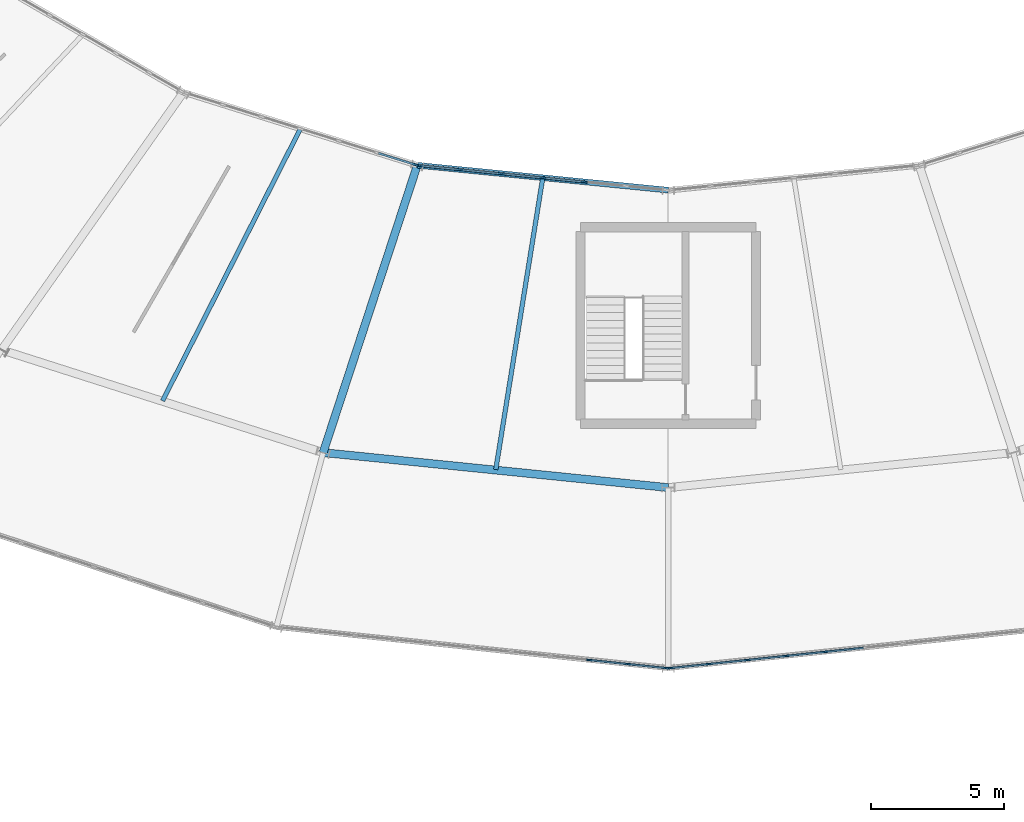
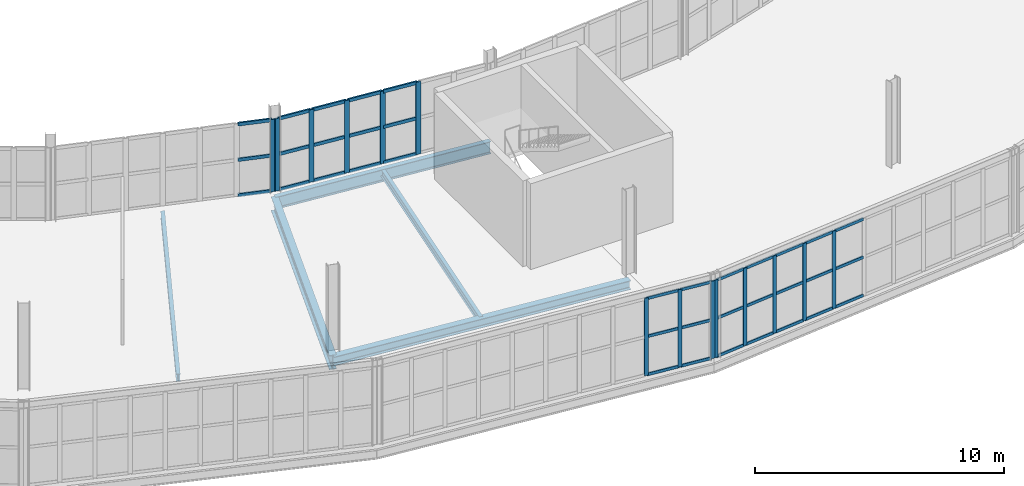
# One storey, part 44 of 161: 50 members, 5 beams, 4 elements without a shape of their own.
"""IFC4 building model written with IfcOpenShell, lengths in metres."""

from ifc_helpers import new_model, si_unit, direction, frame, origin, origin_2d, place, context, subcontext, project, spatial, rectangle, i_section, extrude, material, material_profile, profile_set, type_object, element, aggregate, save


model = new_model("IFC4")

# Units and contexts
model_context = context("Model", 3, precision=1e-05, world=origin(), true_north=direction((0.0, 1.0)))
body_context = subcontext(model_context, "Body", "Model", "MODEL_VIEW")
ifc_project = project(units=[si_unit("LENGTHUNIT", "METRE"), si_unit("AREAUNIT", "SQUARE_METRE"), si_unit("VOLUMEUNIT", "CUBIC_METRE"), si_unit("PLANEANGLEUNIT", "RADIAN"), si_unit("MASSUNIT", "GRAM", prefix="KILO")], contexts=[model_context])

# Site, building, storey
site_placement = place(None, origin())
site = spatial("IfcSite", under=ifc_project, at=site_placement, CompositionType="ELEMENT")
building_placement = place(site_placement, origin())
building = spatial("IfcBuilding", under=site, at=building_placement, Name="Kildeholm Park Wholesale Market", CompositionType="ELEMENT")
storey_placement = place(building_placement, frame((0.0, 0.0, 5.39990234375)))
storey = spatial("IfcBuildingStorey", under=building, at=storey_placement, Name="L01", CompositionType="ELEMENT", Elevation=5.39990234375)

# Beams
ifc_material_1 = material(Name="Steel S355", Category="steel")
ifc_material_profile_1 = material_profile(ifc_material_1, i_section(OverallWidth=0.300048828125, OverallDepth=0.699951171875, WebThickness=0.01708984375, FlangeThickness=0.031982421875, FilletRadius=0.027099609375, at=origin_2d()), Name="HEB 700")
ifc_profile_set_1 = profile_set([ifc_material_profile_1], Name="Steel S355")
beam_type_1 = type_object("IfcBeamType", Name="Beam B-G01 HEB 700", PredefinedType="BEAM", material=ifc_profile_set_1)
beam_1_placement = place(storey_placement, frame((89.552978515625, 62.93701171875, -0.599853515625), z_axis=(-0.31146940438, -0.950256181319, 0.0), x_axis=(0.950256181319, -0.31146940438, 0.0)))
element("IfcBeam", 1, at=beam_1_placement, inside=storey, type_object=beam_type_1, Name="Beam BM-V1-L01-R1-17 BM-0155", PredefinedType="BEAM", context=body_context, shape_type="SweptSolid", body=[
    extrude(i_section(OverallWidth=0.300048828125, OverallDepth=0.699951171875, WebThickness=0.01708984375, FlangeThickness=0.031982421875, FilletRadius=0.027099609375, at=origin_2d()), origin(), (0.0, 0.0, 1.0), 11.384521484375),
])
ifc_material_profile_2 = material_profile(ifc_material_1, i_section(OverallWidth=0.219970703125, OverallDepth=0.60009765625, WebThickness=0.011962890625, FlangeThickness=0.01904296875, FilletRadius=0.02392578125, at=origin_2d()), Name="IPE 600")
ifc_profile_set_2 = profile_set([ifc_material_profile_2], Name="Steel S355")
beam_type_2 = type_object("IfcBeamType", Name="Beam B-P04 IPE 600", PredefinedType="BEAM", material=ifc_profile_set_2)
beam_2_placement = place(storey_placement, frame((89.552978515625, 62.93701171875, -0.5498046875), z_axis=(0.995117073258, -0.098701623651, 0.0), x_axis=(0.098701623651, 0.995117073258, 0.0)))
element("IfcBeam", 2, at=beam_2_placement, inside=storey, type_object=beam_type_2, Name="Beam BM-V1-L01-CI-17 BM-0158", PredefinedType="BEAM", context=body_context, shape_type="SweptSolid", body=[
    extrude(i_section(OverallWidth=0.219970703125, OverallDepth=0.60009765625, WebThickness=0.011962890625, FlangeThickness=0.01904296875, FilletRadius=0.02392578125, at=origin_2d()), origin(), (0.0, 0.0, 1.0), 9.493408203125),
])
ifc_material_profile_3 = material_profile(ifc_material_1, i_section(OverallWidth=0.300048828125, OverallDepth=0.43994140625, WebThickness=0.011474609375, FlangeThickness=0.02099609375, FilletRadius=0.027099609375, at=origin_2d()), Name="HEA 450")
ifc_profile_set_3 = profile_set([ifc_material_profile_3], Name="Steel S355")
beam_type_3 = type_object("IfcBeamType", Name="Beam B-R02 HEA 450", PredefinedType="BEAM", material=ifc_profile_set_3)
beam_3_placement = place(storey_placement, frame((86.007080078125, 52.118896484375, -0.469970703125), z_axis=(0.994887827563, -0.100986189979, 0.0), x_axis=(0.100986189979, 0.994887827563, 0.0)))
element("IfcBeam", 3, at=beam_3_placement, inside=storey, type_object=beam_type_3, Name="Beam BM-V1-L01-CM-17 BM-0159", PredefinedType="BEAM", context=body_context, shape_type="SweptSolid", body=[
    extrude(i_section(OverallWidth=0.300048828125, OverallDepth=0.43994140625, WebThickness=0.011474609375, FlangeThickness=0.02099609375, FilletRadius=0.027099609375, at=origin_2d()), origin(), (0.0, 0.0, 1.0), 13.0595703125),
])
ifc_material_profile_4 = material_profile(ifc_material_1, i_section(OverallWidth=0.169921875, OverallDepth=0.360107421875, WebThickness=0.008056640625, FlangeThickness=0.0126953125, FilletRadius=0.01806640625, at=origin_2d()), Name="IPE 360")
ifc_profile_set_4 = profile_set([ifc_material_profile_4], Name="Steel S355")
beam_type_4 = type_object("IfcBeamType", Name="Beam J-04 IPE 360", PredefinedType="JOIST", material=ifc_profile_set_4)
beam_4_placement = place(storey_placement, frame((85.142578125, 64.292724609375, -0.429931640625), z_axis=(-0.452004571782, -0.892015620428, 0.0), x_axis=(0.892015620428, -0.452004571782, 0.0)))
element("IfcBeam", 4, at=beam_4_placement, inside=storey, type_object=beam_type_4, Name="Beam JT-V1-L01-16 BM-0153", PredefinedType="JOIST", context=body_context, shape_type="SweptSolid", body=[
    extrude(i_section(OverallWidth=0.169921875, OverallDepth=0.360107421875, WebThickness=0.008056640625, FlangeThickness=0.0126953125, FilletRadius=0.01806640625, at=origin_2d()), origin(), (0.0, 0.0, 1.0), 11.46044921875),
])
beam_5_placement = place(storey_placement, frame((94.273193359375, 62.44873046875, -0.429931640625), z_axis=(-0.158998239013, -0.987278866375, 0.0), x_axis=(0.987278866375, -0.158998239013, 0.0)))
element("IfcBeam", 5, at=beam_5_placement, inside=storey, type_object=beam_type_4, Name="Beam JT-V1-L01-17 BM-0163", PredefinedType="JOIST", context=body_context, shape_type="SweptSolid", body=[
    extrude(i_section(OverallWidth=0.169921875, OverallDepth=0.360107421875, WebThickness=0.008056640625, FlangeThickness=0.0126953125, FilletRadius=0.01806640625, at=origin_2d()), origin(), (0.0, 0.0, 1.0), 11.11083984375),
])

# Curtain wall, members
ifc_material_2 = material(Name="Anodised aluminium and low-E double-glazed glass", Category="aluminium")
curtain_wall_type = type_object("IfcCurtainWallType", Name="Market hall glazed arcade stick curtain wall CW-01", PredefinedType="NOTDEFINED", material=ifc_material_2)
curtain_wall_1_placement = place(storey_placement, origin())
curtain_wall_1 = element("IfcCurtainWall", 6, at=curtain_wall_1_placement, inside=storey, type_object=curtain_wall_type, Name="Curtain wall CW-V1-OT-17-1 CW-0084", PredefinedType="NOTDEFINED")
ifc_material_3 = material(Name="Anodised aluminium", Category="aluminium")
ifc_material_profile_5 = material_profile(ifc_material_3, rectangle(XDim=0.06494140625, YDim=0.179931640625, at=origin_2d()), Name="CWM 65x180")
ifc_profile_set_5 = profile_set([ifc_material_profile_5], Name="Anodised aluminium")
member_type_1 = type_object("IfcMemberType", Name="Curtain-wall mullion CWM-1 CWM 65x180", PredefinedType="MULLION", material=ifc_profile_set_5)
member_1_placement = place(storey_placement, frame((96.025146484375, 44.308349609375, 0.0), z_axis=(0.0, 0.0, 1.0), x_axis=(0.104508383308, 0.994524005652, 0.0)))
member_1 = element("IfcMember", 7, at=member_1_placement, type_object=member_type_1, Name="CW-01 mullion 9 MEM-2677", PredefinedType="MULLION", context=body_context, shape_type="SweptSolid", body=[
    extrude(rectangle(XDim=0.06494140625, YDim=0.179931640625, at=origin_2d()), origin(), (0.0, 0.0, 1.0), 3.800048828125),
])
member_2_placement = place(storey_placement, frame((97.49267578125, 44.154296875, 0.0), z_axis=(0.0, 0.0, 1.0), x_axis=(0.104508383308, 0.994524005652, 0.0)))
member_2 = element("IfcMember", 8, at=member_2_placement, type_object=member_type_1, Name="CW-01 mullion 10 MEM-2678", PredefinedType="MULLION", context=body_context, shape_type="SweptSolid", body=[
    extrude(rectangle(XDim=0.06494140625, YDim=0.179931640625, at=origin_2d()), origin(), (0.0, 0.0, 1.0), 3.800048828125),
])
member_3_placement = place(storey_placement, frame((98.927734375, 44.00341796875, 0.0), z_axis=(0.0, 0.0, 1.0), x_axis=(0.104508383308, 0.994524005652, 0.0)))
member_3 = element("IfcMember", 9, at=member_3_placement, type_object=member_type_1, Name="CW-01 mullion 11 MEM-2679", PredefinedType="MULLION", context=body_context, shape_type="SweptSolid", body=[
    extrude(rectangle(XDim=0.06494140625, YDim=0.179931640625, at=origin_2d()), origin(), (0.0, 0.0, 1.0), 3.800048828125),
])

curtain_wall_2_placement = place(storey_placement, origin())
curtain_wall_2 = element("IfcCurtainWall", 10, at=curtain_wall_2_placement, inside=storey, type_object=curtain_wall_type, Name="Curtain wall CW-V1-OT-18-1 CW-0089", PredefinedType="NOTDEFINED")
member_4_placement = place(storey_placement, frame((99.072265625, 44.00341796875, 0.0), z_axis=(0.0, 0.0, 1.0), x_axis=(-0.104508383308, 0.994524005652, 0.0)))
member_4 = element("IfcMember", 11, at=member_4_placement, type_object=member_type_1, Name="CW-01 mullion 1 MEM-2822", PredefinedType="MULLION", context=body_context, shape_type="SweptSolid", body=[
    extrude(rectangle(XDim=0.06494140625, YDim=0.179931640625, at=origin_2d()), origin(), (0.0, 0.0, 1.0), 3.800048828125),
])
member_5_placement = place(storey_placement, frame((100.50732421875, 44.154296875, 0.0), z_axis=(0.0, 0.0, 1.0), x_axis=(-0.104508383308, 0.994524005652, 0.0)))
member_5 = element("IfcMember", 12, at=member_5_placement, type_object=member_type_1, Name="CW-01 mullion 2 MEM-2823", PredefinedType="MULLION", context=body_context, shape_type="SweptSolid", body=[
    extrude(rectangle(XDim=0.06494140625, YDim=0.179931640625, at=origin_2d()), origin(), (0.0, 0.0, 1.0), 3.800048828125),
])
member_6_placement = place(storey_placement, frame((101.974853515625, 44.308349609375, 0.0), z_axis=(0.0, 0.0, 1.0), x_axis=(-0.104508383308, 0.994524005652, 0.0)))
member_6 = element("IfcMember", 13, at=member_6_placement, type_object=member_type_1, Name="CW-01 mullion 3 MEM-2824", PredefinedType="MULLION", context=body_context, shape_type="SweptSolid", body=[
    extrude(rectangle(XDim=0.06494140625, YDim=0.179931640625, at=origin_2d()), origin(), (0.0, 0.0, 1.0), 3.800048828125),
])
member_7_placement = place(storey_placement, frame((103.442138671875, 44.462646484375, 0.0), z_axis=(0.0, 0.0, 1.0), x_axis=(-0.104508383308, 0.994524005652, 0.0)))
member_7 = element("IfcMember", 14, at=member_7_placement, type_object=member_type_1, Name="CW-01 mullion 4 MEM-2825", PredefinedType="MULLION", context=body_context, shape_type="SweptSolid", body=[
    extrude(rectangle(XDim=0.06494140625, YDim=0.179931640625, at=origin_2d()), origin(), (0.0, 0.0, 1.0), 3.800048828125),
])
member_8_placement = place(storey_placement, frame((104.90966796875, 44.61669921875, 0.0), z_axis=(0.0, 0.0, 1.0), x_axis=(-0.104508383308, 0.994524005652, 0.0)))
member_8 = element("IfcMember", 15, at=member_8_placement, type_object=member_type_1, Name="CW-01 mullion 5 MEM-2826", PredefinedType="MULLION", context=body_context, shape_type="SweptSolid", body=[
    extrude(rectangle(XDim=0.06494140625, YDim=0.179931640625, at=origin_2d()), origin(), (0.0, 0.0, 1.0), 3.800048828125),
])

# Curtain wall, member
curtain_wall_3_placement = place(storey_placement, origin())
curtain_wall_3 = element("IfcCurtainWall", 16, at=curtain_wall_3_placement, inside=storey, type_object=curtain_wall_type, Name="Curtain wall CW-V1-IN1-16 CW-0082", PredefinedType="NOTDEFINED")
ifc_material_profile_6 = material_profile(ifc_material_3, rectangle(XDim=0.074951171875, YDim=0.219970703125, at=origin_2d()), Name="CWM 75x220")
ifc_profile_set_6 = profile_set([ifc_material_profile_6], Name="Anodised aluminium")
member_type_2 = type_object("IfcMemberType", Name="Curtain-wall mullion CWM-2 CWM 75x220", PredefinedType="MULLION", material=ifc_profile_set_6)
member_9_placement = place(storey_placement, frame((89.477294921875, 62.9560546875, 0.0), z_axis=(0.0, 0.0, 1.0), x_axis=(0.297957339818, 0.954579186683, 0.0)))
member_9 = element("IfcMember", 17, at=member_9_placement, type_object=member_type_2, Name="CW-01 mullion 7 MEM-2625", PredefinedType="MULLION", context=body_context, shape_type="SweptSolid", body=[
    extrude(rectangle(XDim=0.074951171875, YDim=0.219970703125, at=origin_2d()), origin(), (0.0, 0.0, 1.0), 3.550048828125),
])

# Curtain wall, members
curtain_wall_4_placement = place(storey_placement, origin())
curtain_wall_4 = element("IfcCurtainWall", 18, at=curtain_wall_4_placement, inside=storey, type_object=curtain_wall_type, Name="Curtain wall CW-V1-IN1-17 CW-0087", PredefinedType="NOTDEFINED")
member_10_placement = place(storey_placement, frame((89.62939453125, 62.92529296875, 0.0), z_axis=(0.0, 0.0, 1.0), x_axis=(0.098683331174, 0.995118887444, 0.0)))
member_10 = element("IfcMember", 19, at=member_10_placement, type_object=member_type_2, Name="CW-01 mullion 1 MEM-2772", PredefinedType="MULLION", context=body_context, shape_type="SweptSolid", body=[
    extrude(rectangle(XDim=0.074951171875, YDim=0.219970703125, at=origin_2d()), origin(), (0.0, 0.0, 1.0), 3.550048828125),
])
member_11_placement = place(storey_placement, frame((91.1533203125, 62.774169921875, 0.0), z_axis=(0.0, 0.0, 1.0), x_axis=(0.098683331174, 0.995118887444, 0.0)))
member_11 = element("IfcMember", 20, at=member_11_placement, type_object=member_type_2, Name="CW-01 mullion 2 MEM-2773", PredefinedType="MULLION", context=body_context, shape_type="SweptSolid", body=[
    extrude(rectangle(XDim=0.074951171875, YDim=0.219970703125, at=origin_2d()), origin(), (0.0, 0.0, 1.0), 3.550048828125),
])
member_12_placement = place(storey_placement, frame((92.714599609375, 62.619384765625, 0.0), z_axis=(0.0, 0.0, 1.0), x_axis=(0.098683331174, 0.995118887444, 0.0)))
member_12 = element("IfcMember", 21, at=member_12_placement, type_object=member_type_2, Name="CW-01 mullion 3 MEM-2774", PredefinedType="MULLION", context=body_context, shape_type="SweptSolid", body=[
    extrude(rectangle(XDim=0.074951171875, YDim=0.219970703125, at=origin_2d()), origin(), (0.0, 0.0, 1.0), 3.550048828125),
])
member_13_placement = place(storey_placement, frame((94.27587890625, 62.464599609375, 0.0), z_axis=(0.0, 0.0, 1.0), x_axis=(0.098683331174, 0.995118887444, 0.0)))
member_13 = element("IfcMember", 22, at=member_13_placement, type_object=member_type_2, Name="CW-01 mullion 4 MEM-2775", PredefinedType="MULLION", context=body_context, shape_type="SweptSolid", body=[
    extrude(rectangle(XDim=0.074951171875, YDim=0.219970703125, at=origin_2d()), origin(), (0.0, 0.0, 1.0), 3.550048828125),
])
member_14_placement = place(storey_placement, frame((95.83740234375, 62.3095703125, 0.0), z_axis=(0.0, 0.0, 1.0), x_axis=(0.098683331174, 0.995118887444, 0.0)))
member_14 = element("IfcMember", 23, at=member_14_placement, type_object=member_type_2, Name="CW-01 mullion 5 MEM-2776", PredefinedType="MULLION", context=body_context, shape_type="SweptSolid", body=[
    extrude(rectangle(XDim=0.074951171875, YDim=0.219970703125, at=origin_2d()), origin(), (0.0, 0.0, 1.0), 3.550048828125),
])

# Member
ifc_material_profile_7 = material_profile(ifc_material_3, rectangle(XDim=0.06494140625, YDim=0.139892578125, at=origin_2d()), Name="CWT 65x140")
ifc_profile_set_7 = profile_set([ifc_material_profile_7], Name="Anodised aluminium")
member_type_3 = type_object("IfcMemberType", Name="Curtain-wall transom CWT-1 CWT 65x140", PredefinedType="USERDEFINED", material=ifc_profile_set_7)
member_15_placement = place(storey_placement, frame((96.0576171875, 44.304931640625, 0.03271484375), z_axis=(0.994536711165, -0.104387404148, 0.0), x_axis=(0.104387404148, 0.994536711165, 0.0)))
member_15 = element("IfcMember", 24, at=member_15_placement, type_object=member_type_3, Name="CW-01 transom 9.1 MEM-2704", ObjectType="TRANSOM", PredefinedType="USERDEFINED", context=body_context, shape_type="SweptSolid", body=[
    extrude(rectangle(XDim=0.06494140625, YDim=0.139892578125, at=origin_2d()), origin(), (0.0, 0.0, 1.0), 1.410400390625),
])

member_16_placement = place(storey_placement, frame((96.0576171875, 44.304931640625, 1.900146484375), z_axis=(0.994536711165, -0.104387404148, 0.0), x_axis=(0.104387404148, 0.994536711165, 0.0)))
member_16 = element("IfcMember", 25, at=member_16_placement, type_object=member_type_3, Name="CW-01 transom 9.2 MEM-2705", ObjectType="TRANSOM", PredefinedType="USERDEFINED", context=body_context, shape_type="SweptSolid", body=[
    extrude(rectangle(XDim=0.06494140625, YDim=0.139892578125, at=origin_2d()), origin(), (0.0, 0.0, 1.0), 1.410400390625),
])

member_17_placement = place(storey_placement, frame((96.0576171875, 44.304931640625, 3.767578125), z_axis=(0.994536711165, -0.104387404148, 0.0), x_axis=(0.104387404148, 0.994536711165, 0.0)))
member_17 = element("IfcMember", 26, at=member_17_placement, type_object=member_type_3, Name="CW-01 transom 9.3 MEM-2706", ObjectType="TRANSOM", PredefinedType="USERDEFINED", context=body_context, shape_type="SweptSolid", body=[
    extrude(rectangle(XDim=0.06494140625, YDim=0.139892578125, at=origin_2d()), origin(), (0.0, 0.0, 1.0), 1.410400390625),
])

member_18_placement = place(storey_placement, frame((97.52490234375, 44.15087890625, 0.03271484375), z_axis=(0.994520975712, -0.10453721284, 0.0), x_axis=(0.10453721284, 0.994520975712, 0.0)))
member_18 = element("IfcMember", 27, at=member_18_placement, type_object=member_type_3, Name="CW-01 transom 10.1 MEM-2707", ObjectType="TRANSOM", PredefinedType="USERDEFINED", context=body_context, shape_type="SweptSolid", body=[
    extrude(rectangle(XDim=0.06494140625, YDim=0.139892578125, at=origin_2d()), origin(), (0.0, 0.0, 1.0), 1.3779296875),
])

member_19_placement = place(storey_placement, frame((97.52490234375, 44.15087890625, 1.900146484375), z_axis=(0.994520975712, -0.10453721284, 0.0), x_axis=(0.10453721284, 0.994520975712, 0.0)))
member_19 = element("IfcMember", 28, at=member_19_placement, type_object=member_type_3, Name="CW-01 transom 10.2 MEM-2708", ObjectType="TRANSOM", PredefinedType="USERDEFINED", context=body_context, shape_type="SweptSolid", body=[
    extrude(rectangle(XDim=0.06494140625, YDim=0.139892578125, at=origin_2d()), origin(), (0.0, 0.0, 1.0), 1.3779296875),
])

member_20_placement = place(storey_placement, frame((97.52490234375, 44.15087890625, 3.767578125), z_axis=(0.994520975712, -0.10453721284, 0.0), x_axis=(0.10453721284, 0.994520975712, 0.0)))
member_20 = element("IfcMember", 29, at=member_20_placement, type_object=member_type_3, Name="CW-01 transom 10.3 MEM-2709", ObjectType="TRANSOM", PredefinedType="USERDEFINED", context=body_context, shape_type="SweptSolid", body=[
    extrude(rectangle(XDim=0.06494140625, YDim=0.139892578125, at=origin_2d()), origin(), (0.0, 0.0, 1.0), 1.3779296875),
])

aggregate(curtain_wall_1, [member_1, member_2, member_3, member_15, member_16, member_17, member_18, member_19, member_20])

member_21_placement = place(storey_placement, frame((99.104736328125, 44.0068359375, 0.03271484375), z_axis=(0.994520975712, 0.10453721284, 0.0), x_axis=(-0.10453721284, 0.994520975712, 0.0)))
member_21 = element("IfcMember", 30, at=member_21_placement, type_object=member_type_3, Name="CW-01 transom 1.1 MEM-2833", ObjectType="TRANSOM", PredefinedType="USERDEFINED", context=body_context, shape_type="SweptSolid", body=[
    extrude(rectangle(XDim=0.06494140625, YDim=0.139892578125, at=origin_2d()), origin(), (0.0, 0.0, 1.0), 1.3779296875),
])

member_22_placement = place(storey_placement, frame((99.104736328125, 44.0068359375, 1.900146484375), z_axis=(0.994520975712, 0.10453721284, 0.0), x_axis=(-0.10453721284, 0.994520975712, 0.0)))
member_22 = element("IfcMember", 31, at=member_22_placement, type_object=member_type_3, Name="CW-01 transom 1.2 MEM-2834", ObjectType="TRANSOM", PredefinedType="USERDEFINED", context=body_context, shape_type="SweptSolid", body=[
    extrude(rectangle(XDim=0.06494140625, YDim=0.139892578125, at=origin_2d()), origin(), (0.0, 0.0, 1.0), 1.3779296875),
])

member_23_placement = place(storey_placement, frame((99.104736328125, 44.0068359375, 3.767578125), z_axis=(0.994520975712, 0.10453721284, 0.0), x_axis=(-0.10453721284, 0.994520975712, 0.0)))
member_23 = element("IfcMember", 32, at=member_23_placement, type_object=member_type_3, Name="CW-01 transom 1.3 MEM-2835", ObjectType="TRANSOM", PredefinedType="USERDEFINED", context=body_context, shape_type="SweptSolid", body=[
    extrude(rectangle(XDim=0.06494140625, YDim=0.139892578125, at=origin_2d()), origin(), (0.0, 0.0, 1.0), 1.3779296875),
])

member_24_placement = place(storey_placement, frame((100.539794921875, 44.15771484375, 0.03271484375), z_axis=(0.994536711165, 0.104387404148, 0.0), x_axis=(-0.104387404148, 0.994536711165, 0.0)))
member_24 = element("IfcMember", 33, at=member_24_placement, type_object=member_type_3, Name="CW-01 transom 2.1 MEM-2836", ObjectType="TRANSOM", PredefinedType="USERDEFINED", context=body_context, shape_type="SweptSolid", body=[
    extrude(rectangle(XDim=0.06494140625, YDim=0.139892578125, at=origin_2d()), origin(), (0.0, 0.0, 1.0), 1.410400390625),
])

member_25_placement = place(storey_placement, frame((100.539794921875, 44.15771484375, 1.900146484375), z_axis=(0.994536711165, 0.104387404148, 0.0), x_axis=(-0.104387404148, 0.994536711165, 0.0)))
member_25 = element("IfcMember", 34, at=member_25_placement, type_object=member_type_3, Name="CW-01 transom 2.2 MEM-2837", ObjectType="TRANSOM", PredefinedType="USERDEFINED", context=body_context, shape_type="SweptSolid", body=[
    extrude(rectangle(XDim=0.06494140625, YDim=0.139892578125, at=origin_2d()), origin(), (0.0, 0.0, 1.0), 1.410400390625),
])

member_26_placement = place(storey_placement, frame((100.539794921875, 44.15771484375, 3.767578125), z_axis=(0.994536711165, 0.104387404148, 0.0), x_axis=(-0.104387404148, 0.994536711165, 0.0)))
member_26 = element("IfcMember", 35, at=member_26_placement, type_object=member_type_3, Name="CW-01 transom 2.3 MEM-2838", ObjectType="TRANSOM", PredefinedType="USERDEFINED", context=body_context, shape_type="SweptSolid", body=[
    extrude(rectangle(XDim=0.06494140625, YDim=0.139892578125, at=origin_2d()), origin(), (0.0, 0.0, 1.0), 1.410400390625),
])

member_27_placement = place(storey_placement, frame((102.007080078125, 44.311767578125, 0.03271484375), z_axis=(0.994520616656, 0.104540628691, 0.0), x_axis=(-0.104540628691, 0.994520616656, 0.0)))
member_27 = element("IfcMember", 36, at=member_27_placement, type_object=member_type_3, Name="CW-01 transom 3.1 MEM-2839", ObjectType="TRANSOM", PredefinedType="USERDEFINED", context=body_context, shape_type="SweptSolid", body=[
    extrude(rectangle(XDim=0.06494140625, YDim=0.139892578125, at=origin_2d()), origin(), (0.0, 0.0, 1.0), 1.41064453125),
])

member_28_placement = place(storey_placement, frame((102.007080078125, 44.311767578125, 1.900146484375), z_axis=(0.994520616656, 0.104540628691, 0.0), x_axis=(-0.104540628691, 0.994520616656, 0.0)))
member_28 = element("IfcMember", 37, at=member_28_placement, type_object=member_type_3, Name="CW-01 transom 3.2 MEM-2840", ObjectType="TRANSOM", PredefinedType="USERDEFINED", context=body_context, shape_type="SweptSolid", body=[
    extrude(rectangle(XDim=0.06494140625, YDim=0.139892578125, at=origin_2d()), origin(), (0.0, 0.0, 1.0), 1.41064453125),
])

member_29_placement = place(storey_placement, frame((102.007080078125, 44.311767578125, 3.767578125), z_axis=(0.994520616656, 0.104540628691, 0.0), x_axis=(-0.104540628691, 0.994520616656, 0.0)))
member_29 = element("IfcMember", 38, at=member_29_placement, type_object=member_type_3, Name="CW-01 transom 3.3 MEM-2841", ObjectType="TRANSOM", PredefinedType="USERDEFINED", context=body_context, shape_type="SweptSolid", body=[
    extrude(rectangle(XDim=0.06494140625, YDim=0.139892578125, at=origin_2d()), origin(), (0.0, 0.0, 1.0), 1.41064453125),
])

member_30_placement = place(storey_placement, frame((103.474609375, 44.466064453125, 0.03271484375), z_axis=(0.994518724615, 0.104558626574, 0.0), x_axis=(-0.104558626574, 0.994518724615, 0.0)))
member_30 = element("IfcMember", 39, at=member_30_placement, type_object=member_type_3, Name="CW-01 transom 4.1 MEM-2842", ObjectType="TRANSOM", PredefinedType="USERDEFINED", context=body_context, shape_type="SweptSolid", body=[
    extrude(rectangle(XDim=0.06494140625, YDim=0.139892578125, at=origin_2d()), origin(), (0.0, 0.0, 1.0), 1.410400390625),
])

member_31_placement = place(storey_placement, frame((103.474609375, 44.466064453125, 1.900146484375), z_axis=(0.994518724615, 0.104558626574, 0.0), x_axis=(-0.104558626574, 0.994518724615, 0.0)))
member_31 = element("IfcMember", 40, at=member_31_placement, type_object=member_type_3, Name="CW-01 transom 4.2 MEM-2843", ObjectType="TRANSOM", PredefinedType="USERDEFINED", context=body_context, shape_type="SweptSolid", body=[
    extrude(rectangle(XDim=0.06494140625, YDim=0.139892578125, at=origin_2d()), origin(), (0.0, 0.0, 1.0), 1.410400390625),
])

member_32_placement = place(storey_placement, frame((103.474609375, 44.466064453125, 3.767578125), z_axis=(0.994518724615, 0.104558626574, 0.0), x_axis=(-0.104558626574, 0.994518724615, 0.0)))
member_32 = element("IfcMember", 41, at=member_32_placement, type_object=member_type_3, Name="CW-01 transom 4.3 MEM-2844", ObjectType="TRANSOM", PredefinedType="USERDEFINED", context=body_context, shape_type="SweptSolid", body=[
    extrude(rectangle(XDim=0.06494140625, YDim=0.139892578125, at=origin_2d()), origin(), (0.0, 0.0, 1.0), 1.410400390625),
])

member_33_placement = place(storey_placement, frame((104.94189453125, 44.6201171875, 0.03271484375), z_axis=(0.994520616656, 0.104540628691, 0.0), x_axis=(-0.104540628691, 0.994520616656, 0.0)))
member_33 = element("IfcMember", 42, at=member_33_placement, type_object=member_type_3, Name="CW-01 transom 5.1 MEM-2845", ObjectType="TRANSOM", PredefinedType="USERDEFINED", context=body_context, shape_type="SweptSolid", body=[
    extrude(rectangle(XDim=0.06494140625, YDim=0.139892578125, at=origin_2d()), origin(), (0.0, 0.0, 1.0), 1.41064453125),
])

member_34_placement = place(storey_placement, frame((104.94189453125, 44.6201171875, 1.900146484375), z_axis=(0.994520616656, 0.104540628691, 0.0), x_axis=(-0.104540628691, 0.994520616656, 0.0)))
member_34 = element("IfcMember", 43, at=member_34_placement, type_object=member_type_3, Name="CW-01 transom 5.2 MEM-2846", ObjectType="TRANSOM", PredefinedType="USERDEFINED", context=body_context, shape_type="SweptSolid", body=[
    extrude(rectangle(XDim=0.06494140625, YDim=0.139892578125, at=origin_2d()), origin(), (0.0, 0.0, 1.0), 1.41064453125),
])

member_35_placement = place(storey_placement, frame((104.94189453125, 44.6201171875, 3.767578125), z_axis=(0.994520616656, 0.104540628691, 0.0), x_axis=(-0.104540628691, 0.994520616656, 0.0)))
member_35 = element("IfcMember", 44, at=member_35_placement, type_object=member_type_3, Name="CW-01 transom 5.3 MEM-2847", ObjectType="TRANSOM", PredefinedType="USERDEFINED", context=body_context, shape_type="SweptSolid", body=[
    extrude(rectangle(XDim=0.06494140625, YDim=0.139892578125, at=origin_2d()), origin(), (0.0, 0.0, 1.0), 1.41064453125),
])

aggregate(curtain_wall_2, [member_4, member_5, member_6, member_7, member_8, member_21, member_22, member_23, member_24, member_25, member_26, member_27, member_28, member_29, member_30, member_31, member_32, member_33, member_34, member_35])

ifc_material_profile_8 = material_profile(ifc_material_3, rectangle(XDim=0.074951171875, YDim=0.159912109375, at=origin_2d()), Name="CWT 75x160")
ifc_profile_set_8 = profile_set([ifc_material_profile_8], Name="Anodised aluminium")
member_type_4 = type_object("IfcMemberType", Name="Curtain-wall transom CWT-2 CWT 75x160", PredefinedType="USERDEFINED", material=ifc_profile_set_8)
member_36_placement = place(storey_placement, frame((88.09423828125, 63.387939453125, 0.03759765625), z_axis=(0.954547671151, -0.298058288763, 0.0), x_axis=(0.298058288763, 0.954547671151, 0.0)))
member_36 = element("IfcMember", 45, at=member_36_placement, type_object=member_type_4, Name="CW-01 transom 6.1 MEM-2641", ObjectType="TRANSOM", PredefinedType="USERDEFINED", context=body_context, shape_type="SweptSolid", body=[
    extrude(rectangle(XDim=0.074951171875, YDim=0.159912109375, at=origin_2d()), origin(), (0.0, 0.0, 1.0), 1.411376953125),
])

member_37_placement = place(storey_placement, frame((88.09423828125, 63.387939453125, 1.775146484375), z_axis=(0.954547671151, -0.298058288763, 0.0), x_axis=(0.298058288763, 0.954547671151, 0.0)))
member_37 = element("IfcMember", 46, at=member_37_placement, type_object=member_type_4, Name="CW-01 transom 6.2 MEM-2642", ObjectType="TRANSOM", PredefinedType="USERDEFINED", context=body_context, shape_type="SweptSolid", body=[
    extrude(rectangle(XDim=0.074951171875, YDim=0.159912109375, at=origin_2d()), origin(), (0.0, 0.0, 1.0), 1.411376953125),
])

member_38_placement = place(storey_placement, frame((88.09423828125, 63.387939453125, 3.5126953125), z_axis=(0.954547671151, -0.298058288763, 0.0), x_axis=(0.298058288763, 0.954547671151, 0.0)))
member_38 = element("IfcMember", 47, at=member_38_placement, type_object=member_type_4, Name="CW-01 transom 6.3 MEM-2643", ObjectType="TRANSOM", PredefinedType="USERDEFINED", context=body_context, shape_type="SweptSolid", body=[
    extrude(rectangle(XDim=0.074951171875, YDim=0.159912109375, at=origin_2d()), origin(), (0.0, 0.0, 1.0), 1.411376953125),
])

aggregate(curtain_wall_3, [member_9, member_36, member_37, member_38])

member_39_placement = place(storey_placement, frame((89.666748046875, 62.921630859375, 0.03759765625), z_axis=(0.995113248343, -0.098740179123, 0.0), x_axis=(0.098740179123, 0.995113248343, 0.0)))
member_39 = element("IfcMember", 48, at=member_39_placement, type_object=member_type_4, Name="CW-01 transom 1.1 MEM-2779", ObjectType="TRANSOM", PredefinedType="USERDEFINED", context=body_context, shape_type="SweptSolid", body=[
    extrude(rectangle(XDim=0.074951171875, YDim=0.159912109375, at=origin_2d()), origin(), (0.0, 0.0, 1.0), 1.456298828125),
])

member_40_placement = place(storey_placement, frame((89.666748046875, 62.921630859375, 1.775146484375), z_axis=(0.995113248343, -0.098740179123, 0.0), x_axis=(0.098740179123, 0.995113248343, 0.0)))
member_40 = element("IfcMember", 49, at=member_40_placement, type_object=member_type_4, Name="CW-01 transom 1.2 MEM-2780", ObjectType="TRANSOM", PredefinedType="USERDEFINED", context=body_context, shape_type="SweptSolid", body=[
    extrude(rectangle(XDim=0.074951171875, YDim=0.159912109375, at=origin_2d()), origin(), (0.0, 0.0, 1.0), 1.456298828125),
])

member_41_placement = place(storey_placement, frame((89.666748046875, 62.921630859375, 3.5126953125), z_axis=(0.995113248343, -0.098740179123, 0.0), x_axis=(0.098740179123, 0.995113248343, 0.0)))
member_41 = element("IfcMember", 50, at=member_41_placement, type_object=member_type_4, Name="CW-01 transom 1.3 MEM-2781", ObjectType="TRANSOM", PredefinedType="USERDEFINED", context=body_context, shape_type="SweptSolid", body=[
    extrude(rectangle(XDim=0.074951171875, YDim=0.159912109375, at=origin_2d()), origin(), (0.0, 0.0, 1.0), 1.456298828125),
])

member_42_placement = place(storey_placement, frame((91.190673828125, 62.7705078125, 0.03759765625), z_axis=(0.995116161416, -0.098710816472, 0.0), x_axis=(0.098710816472, 0.995116161416, 0.0)))
member_42 = element("IfcMember", 51, at=member_42_placement, type_object=member_type_4, Name="CW-01 transom 2.1 MEM-2782", ObjectType="TRANSOM", PredefinedType="USERDEFINED", context=body_context, shape_type="SweptSolid", body=[
    extrude(rectangle(XDim=0.074951171875, YDim=0.159912109375, at=origin_2d()), origin(), (0.0, 0.0, 1.0), 1.493896484375),
])

member_43_placement = place(storey_placement, frame((91.190673828125, 62.7705078125, 1.775146484375), z_axis=(0.995116161416, -0.098710816472, 0.0), x_axis=(0.098710816472, 0.995116161416, 0.0)))
member_43 = element("IfcMember", 52, at=member_43_placement, type_object=member_type_4, Name="CW-01 transom 2.2 MEM-2783", ObjectType="TRANSOM", PredefinedType="USERDEFINED", context=body_context, shape_type="SweptSolid", body=[
    extrude(rectangle(XDim=0.074951171875, YDim=0.159912109375, at=origin_2d()), origin(), (0.0, 0.0, 1.0), 1.493896484375),
])

member_44_placement = place(storey_placement, frame((91.190673828125, 62.7705078125, 3.5126953125), z_axis=(0.995116161416, -0.098710816472, 0.0), x_axis=(0.098710816472, 0.995116161416, 0.0)))
member_44 = element("IfcMember", 53, at=member_44_placement, type_object=member_type_4, Name="CW-01 transom 2.3 MEM-2784", ObjectType="TRANSOM", PredefinedType="USERDEFINED", context=body_context, shape_type="SweptSolid", body=[
    extrude(rectangle(XDim=0.074951171875, YDim=0.159912109375, at=origin_2d()), origin(), (0.0, 0.0, 1.0), 1.493896484375),
])

member_45_placement = place(storey_placement, frame((92.751953125, 62.61572265625, 0.03759765625), z_axis=(0.995117753447, -0.098694765695, 0.0), x_axis=(0.098694765695, 0.995117753447, 0.0)))
member_45 = element("IfcMember", 54, at=member_45_placement, type_object=member_type_4, Name="CW-01 transom 3.1 MEM-2785", ObjectType="TRANSOM", PredefinedType="USERDEFINED", context=body_context, shape_type="SweptSolid", body=[
    extrude(rectangle(XDim=0.074951171875, YDim=0.159912109375, at=origin_2d()), origin(), (0.0, 0.0, 1.0), 1.494140625),
])

member_46_placement = place(storey_placement, frame((92.751953125, 62.61572265625, 1.775146484375), z_axis=(0.995117753447, -0.098694765695, 0.0), x_axis=(0.098694765695, 0.995117753447, 0.0)))
member_46 = element("IfcMember", 55, at=member_46_placement, type_object=member_type_4, Name="CW-01 transom 3.2 MEM-2786", ObjectType="TRANSOM", PredefinedType="USERDEFINED", context=body_context, shape_type="SweptSolid", body=[
    extrude(rectangle(XDim=0.074951171875, YDim=0.159912109375, at=origin_2d()), origin(), (0.0, 0.0, 1.0), 1.494140625),
])

member_47_placement = place(storey_placement, frame((92.751953125, 62.61572265625, 3.5126953125), z_axis=(0.995117753447, -0.098694765695, 0.0), x_axis=(0.098694765695, 0.995117753447, 0.0)))
member_47 = element("IfcMember", 56, at=member_47_placement, type_object=member_type_4, Name="CW-01 transom 3.3 MEM-2787", ObjectType="TRANSOM", PredefinedType="USERDEFINED", context=body_context, shape_type="SweptSolid", body=[
    extrude(rectangle(XDim=0.074951171875, YDim=0.159912109375, at=origin_2d()), origin(), (0.0, 0.0, 1.0), 1.494140625),
])

member_48_placement = place(storey_placement, frame((94.313232421875, 62.460693359375, 0.03759765625), z_axis=(0.995133788729, -0.098532951495, 0.0), x_axis=(0.098532951495, 0.995133788729, 0.0)))
member_48 = element("IfcMember", 57, at=member_48_placement, type_object=member_type_4, Name="CW-01 transom 4.1 MEM-2788", ObjectType="TRANSOM", PredefinedType="USERDEFINED", context=body_context, shape_type="SweptSolid", body=[
    extrude(rectangle(XDim=0.074951171875, YDim=0.159912109375, at=origin_2d()), origin(), (0.0, 0.0, 1.0), 1.494140625),
])

member_49_placement = place(storey_placement, frame((94.313232421875, 62.460693359375, 1.775146484375), z_axis=(0.995133788729, -0.098532951495, 0.0), x_axis=(0.098532951495, 0.995133788729, 0.0)))
member_49 = element("IfcMember", 58, at=member_49_placement, type_object=member_type_4, Name="CW-01 transom 4.2 MEM-2789", ObjectType="TRANSOM", PredefinedType="USERDEFINED", context=body_context, shape_type="SweptSolid", body=[
    extrude(rectangle(XDim=0.074951171875, YDim=0.159912109375, at=origin_2d()), origin(), (0.0, 0.0, 1.0), 1.494140625),
])

member_50_placement = place(storey_placement, frame((94.313232421875, 62.460693359375, 3.5126953125), z_axis=(0.995133788729, -0.098532951495, 0.0), x_axis=(0.098532951495, 0.995133788729, 0.0)))
member_50 = element("IfcMember", 59, at=member_50_placement, type_object=member_type_4, Name="CW-01 transom 4.3 MEM-2790", ObjectType="TRANSOM", PredefinedType="USERDEFINED", context=body_context, shape_type="SweptSolid", body=[
    extrude(rectangle(XDim=0.074951171875, YDim=0.159912109375, at=origin_2d()), origin(), (0.0, 0.0, 1.0), 1.494140625),
])

aggregate(curtain_wall_4, [member_10, member_11, member_12, member_13, member_14, member_39, member_40, member_41, member_42, member_43, member_44, member_45, member_46, member_47, member_48, member_49, member_50])

save(model, "model.ifc")
